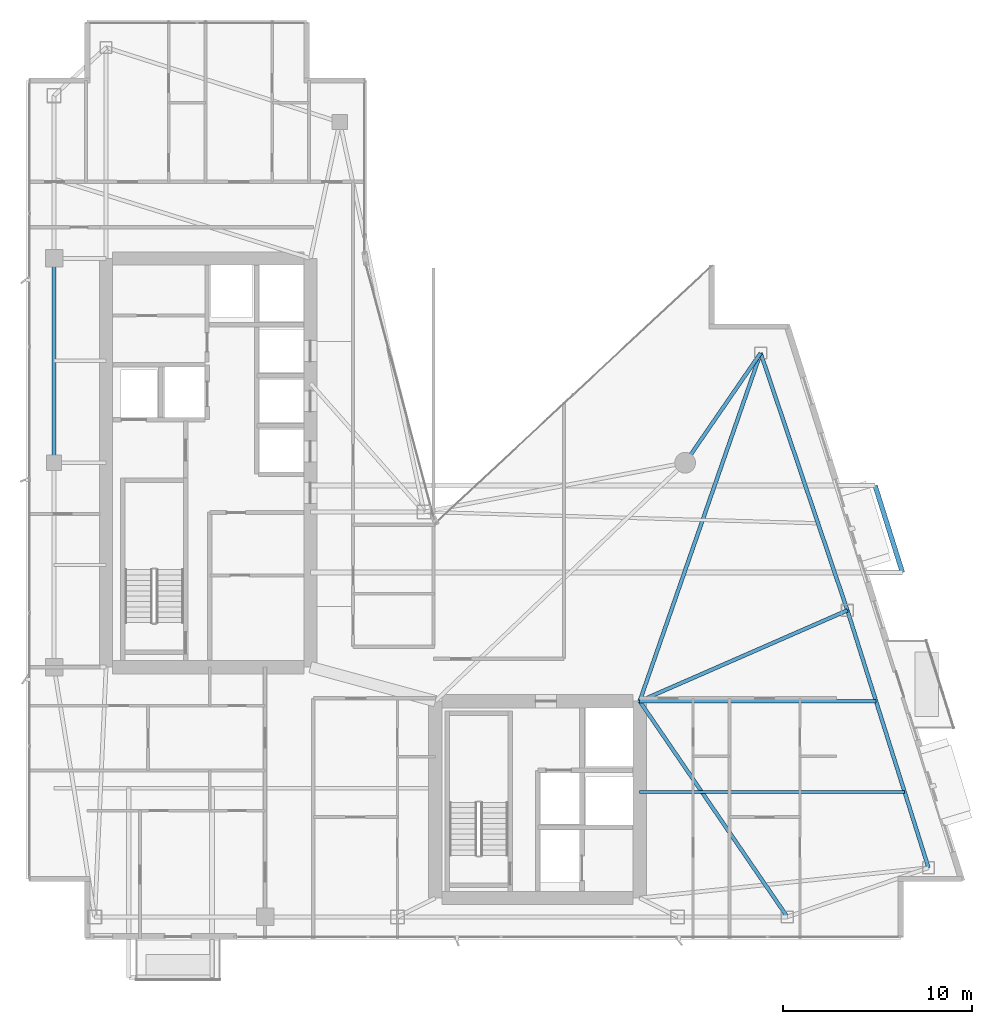
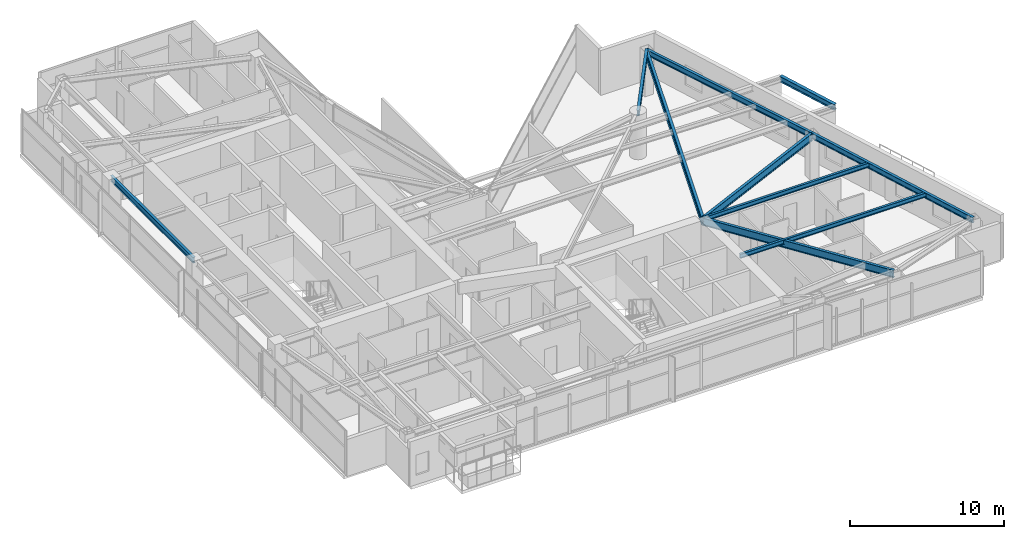
# One storey, part 14 of 27: 10 beams.
"""IFC4 building model written with IfcOpenShell, lengths in metres."""

from ifc_helpers import new_model, si_unit, direction, frame, origin, origin_2d, place, context, subcontext, project, spatial, i_section, extrude, material, material_profile, profile_set, type_object, element, save


model = new_model("IFC4")

# Units and contexts
model_context = context("Model", 3, precision=1e-05, world=origin(), true_north=direction((0.0, 1.0)))
body_context = subcontext(model_context, "Body", "Model", "MODEL_VIEW")
ifc_project = project(units=[si_unit("LENGTHUNIT", "METRE"), si_unit("AREAUNIT", "SQUARE_METRE"), si_unit("VOLUMEUNIT", "CUBIC_METRE"), si_unit("PLANEANGLEUNIT", "RADIAN"), si_unit("MASSUNIT", "GRAM", prefix="KILO")], contexts=[model_context])

# Site, building, storey
site_placement = place(None, origin())
site = spatial("IfcSite", under=ifc_project, at=site_placement, CompositionType="ELEMENT")
building_placement = place(site_placement, origin())
building = spatial("IfcBuilding", under=site, at=building_placement, Name="Calvorn Quay Hotel", CompositionType="ELEMENT")
storey_placement = place(building_placement, frame((0.0, 0.0, 226.89990234375)))
storey = spatial("IfcBuildingStorey", under=building, at=storey_placement, Name="L56", CompositionType="ELEMENT", Elevation=226.89990234375)

# Beams
ifc_material_1 = material(Name="Steel Q355B", Category="steel")
ifc_material_profile_1 = material_profile(ifc_material_1, i_section(OverallWidth=0.25, OverallDepth=0.449951171875, WebThickness=0.011962890625, FlangeThickness=0.01611328125, FilletRadius=0.01611328125, at=origin_2d()), Name="HN450x250x12x16")
ifc_profile_set_1 = profile_set([ifc_material_profile_1], Name="Steel Q355B")
beam_type_1 = type_object("IfcBeamType", Name="BM-CANT-BALC", PredefinedType="BEAM", material=ifc_profile_set_1)
beam_1_placement = place(storey_placement, frame((46.285888671875, 21.800048828125, 3.315185546875), z_axis=(-0.300450487966, 0.953797412599, 0.0), x_axis=(-0.953797412599, -0.300450487966, 0.0)))
element("IfcBeam", 1, at=beam_1_placement, inside=storey, type_object=beam_type_1, Name="Beam BCBO-L57-1", PredefinedType="BEAM", context=body_context, shape_type="SweptSolid", body=[
    extrude(i_section(OverallWidth=0.25, OverallDepth=0.449951171875, WebThickness=0.011962890625, FlangeThickness=0.01611328125, FilletRadius=0.01611328125, at=origin_2d()), origin(), (0.0, 0.0, 1.0), 4.82275390625),
])
ifc_material_2 = material(Name="Steel Q355B", Category="steel")
ifc_material_profile_2 = material_profile(ifc_material_2, i_section(OverallWidth=0.199951171875, OverallDepth=0.60009765625, WebThickness=0.010986328125, FlangeThickness=0.01708984375, FilletRadius=0.01806640625, at=origin_2d()), Name="HN600x200x11x17")
ifc_profile_set_2 = profile_set([ifc_material_profile_2], Name="Steel Q355B")
beam_type_2 = type_object("IfcBeamType", Name="BM-GIRD-TYP", PredefinedType="BEAM", material=ifc_profile_set_2)
beam_2_placement = place(storey_placement, frame((32.39990234375, 15.0, 3.239990234375), z_axis=(0.916218128543, 0.40067984842, 0.0), x_axis=(-0.40067984842, 0.916218128543, 0.0)))
element("IfcBeam", 2, at=beam_2_placement, inside=storey, type_object=beam_type_2, Name="Beam BG-L56-E2", PredefinedType="BEAM", context=body_context, shape_type="SweptSolid", body=[
    extrude(i_section(OverallWidth=0.199951171875, OverallDepth=0.60009765625, WebThickness=0.010986328125, FlangeThickness=0.01708984375, FilletRadius=0.01806640625, at=origin_2d()), origin(), (0.0, 0.0, 1.0), 11.979736328125),
])
beam_3_placement = place(storey_placement, frame((32.39990234375, 15.0, 3.239990234375), z_axis=(0.328115152411, 0.94463773308, 0.0), x_axis=(-0.94463773308, 0.328115152411, 0.0)))
element("IfcBeam", 3, at=beam_3_placement, inside=storey, type_object=beam_type_2, Name="Beam BG-L56-E3", PredefinedType="BEAM", context=body_context, shape_type="SweptSolid", body=[
    extrude(i_section(OverallWidth=0.199951171875, OverallDepth=0.60009765625, WebThickness=0.010986328125, FlangeThickness=0.01708984375, FilletRadius=0.01806640625, at=origin_2d()), origin(), (0.0, 0.0, 1.0), 19.478271484375),
])
beam_4_placement = place(storey_placement, frame((40.199951171875, 3.60009765625, 3.239990234375), z_axis=(-0.564689618177, 0.825303359452, 0.0), x_axis=(-0.825303359452, -0.564689618177, 0.0)))
element("IfcBeam", 4, at=beam_4_placement, inside=storey, type_object=beam_type_2, Name="Beam BG-L56-E6", PredefinedType="BEAM", context=body_context, shape_type="SweptSolid", body=[
    extrude(i_section(OverallWidth=0.199951171875, OverallDepth=0.60009765625, WebThickness=0.010986328125, FlangeThickness=0.01708984375, FilletRadius=0.01806640625, at=origin_2d()), origin(), (0.0, 0.0, 1.0), 13.81298828125),
])
ifc_material_3 = material(Name="Steel Q355B", Category="steel")
ifc_material_profile_3 = material_profile(ifc_material_3, i_section(OverallWidth=0.175048828125, OverallDepth=0.35009765625, WebThickness=0.007080078125, FlangeThickness=0.010986328125, FilletRadius=0.013916015625, at=origin_2d()), Name="HN350x175x7x11")
ifc_profile_set_3 = profile_set([ifc_material_profile_3], Name="Steel Q355B")
beam_type_3 = type_object("IfcBeamType", Name="BM-JOIST-SEC", PredefinedType="JOIST", material=ifc_profile_set_3)
beam_5_placement = place(storey_placement, frame((32.39990234375, 10.199951171875, 3.364990234375), z_axis=(1.0, 0.0, 0.0), x_axis=(0.0, 1.0, 0.0)))
element("IfcBeam", 5, at=beam_5_placement, inside=storey, type_object=beam_type_3, Name="Beam BJ-L56-E1", PredefinedType="JOIST", context=body_context, shape_type="SweptSolid", body=[
    extrude(i_section(OverallWidth=0.175048828125, OverallDepth=0.35009765625, WebThickness=0.007080078125, FlangeThickness=0.010986328125, FilletRadius=0.013916015625, at=origin_2d()), origin(), (0.0, 0.0, 1.0), 14.0009765625),
])
beam_6_placement = place(storey_placement, frame((32.39990234375, 15.0, 3.364990234375), z_axis=(1.0, 0.0, 0.0), x_axis=(0.0, 1.0, 0.0)))
element("IfcBeam", 6, at=beam_6_placement, inside=storey, type_object=beam_type_3, Name="Beam BJ-L56-E2", PredefinedType="JOIST", context=body_context, shape_type="SweptSolid", body=[
    extrude(i_section(OverallWidth=0.175048828125, OverallDepth=0.35009765625, WebThickness=0.007080078125, FlangeThickness=0.010986328125, FilletRadius=0.013916015625, at=origin_2d()), origin(), (0.0, 0.0, 1.0), 12.488037109375),
])
ifc_material_4 = material(Name="Steel Q355B", Category="steel")
ifc_material_profile_4 = material_profile(ifc_material_4, i_section(OverallWidth=0.199951171875, OverallDepth=0.449951171875, WebThickness=0.009033203125, FlangeThickness=0.013916015625, FilletRadius=0.01611328125, at=origin_2d()), Name="HN450x200x9x14")
ifc_profile_set_4 = profile_set([ifc_material_profile_4], Name="Steel Q355B")
beam_type_4 = type_object("IfcBeamType", Name="BM-SPANDREL-Z3", PredefinedType="SPANDREL", material=ifc_profile_set_4)
beam_7_placement = place(storey_placement, frame((1.449951171875, 27.60009765625, 3.315185546875), z_axis=(0.0, 1.0, 0.0), x_axis=(-1.0, 0.0, 0.0)))
element("IfcBeam", 7, at=beam_7_placement, inside=storey, type_object=beam_type_4, Name="Beam BSP-L56-W3", PredefinedType="SPANDREL", context=body_context, shape_type="SweptSolid", body=[
    extrude(i_section(OverallWidth=0.199951171875, OverallDepth=0.449951171875, WebThickness=0.009033203125, FlangeThickness=0.013916015625, FilletRadius=0.01611328125, at=origin_2d()), origin(), (0.0, 0.0, 1.0), 10.7998046875),
])
beam_8_placement = place(storey_placement, frame((47.660888671875, 6.199951171875, 3.315185546875), z_axis=(-0.300502802767, 0.953780931624, 0.0), x_axis=(-0.953780931624, -0.300502802767, 0.0)))
element("IfcBeam", 8, at=beam_8_placement, inside=storey, type_object=beam_type_4, Name="Beam BSP-L56-E1", PredefinedType="SPANDREL", context=body_context, shape_type="SweptSolid", body=[
    extrude(i_section(OverallWidth=0.199951171875, OverallDepth=0.449951171875, WebThickness=0.009033203125, FlangeThickness=0.013916015625, FilletRadius=0.01611328125, at=origin_2d()), origin(), (0.0, 0.0, 1.0), 14.259033203125),
])
beam_9_placement = place(storey_placement, frame((43.3759765625, 19.800048828125, 3.315185546875), z_axis=(-0.319466515944, 0.947597564998, 0.0), x_axis=(-0.947597564998, -0.319466515944, 0.0)))
element("IfcBeam", 9, at=beam_9_placement, inside=storey, type_object=beam_type_4, Name="Beam BSP-L56-E2", PredefinedType="SPANDREL", context=body_context, shape_type="SweptSolid", body=[
    extrude(i_section(OverallWidth=0.199951171875, OverallDepth=0.449951171875, WebThickness=0.009033203125, FlangeThickness=0.013916015625, FilletRadius=0.01611328125, at=origin_2d()), origin(), (0.0, 0.0, 1.0), 14.35205078125),
])
beam_10_placement = place(storey_placement, frame((38.791015625, 33.39990234375, 3.315185546875), z_axis=(-0.566876101303, -0.823803062492, 0.0), x_axis=(0.823803062492, -0.566876101303, 0.0)))
element("IfcBeam", 10, at=beam_10_placement, inside=storey, type_object=beam_type_4, Name="Beam BSP-L56-E3", PredefinedType="SPANDREL", context=body_context, shape_type="SweptSolid", body=[
    extrude(i_section(OverallWidth=0.199951171875, OverallDepth=0.449951171875, WebThickness=0.009033203125, FlangeThickness=0.013916015625, FilletRadius=0.01611328125, at=origin_2d()), origin(), (0.0, 0.0, 1.0), 7.040283203125),
])

save(model, "model.ifc")
